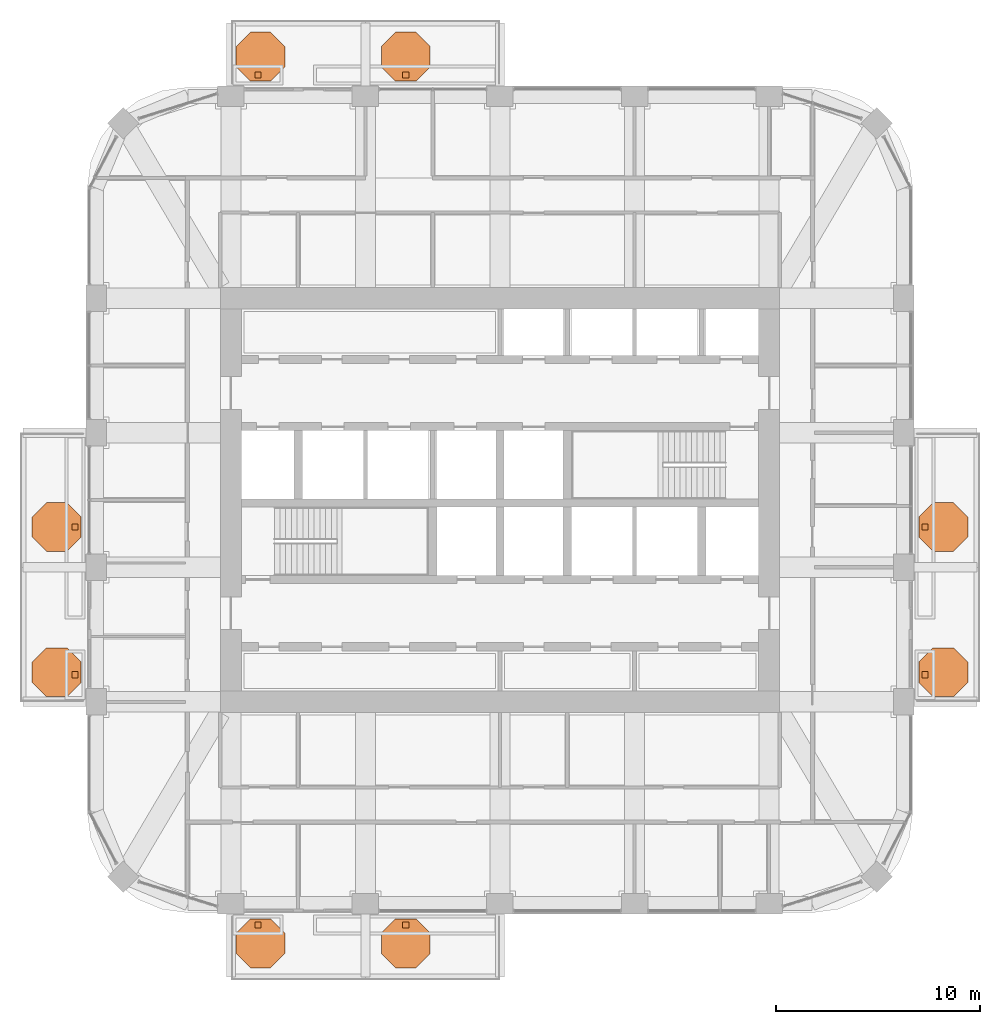
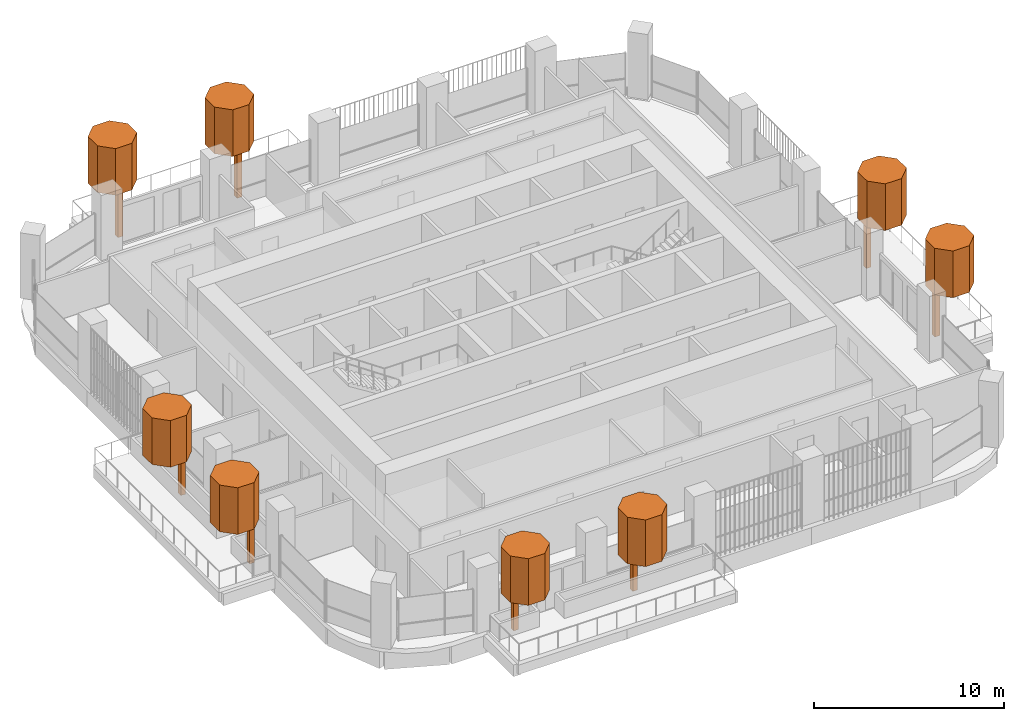
# One storey, part 19 of 19: 16 geographic elements.
"""IFC4 building model written with IfcOpenShell, lengths in metres."""

import ifcopenshell
import ifcopenshell.guid

model = None  # the IFC model being written
_history = None  # IfcOwnerHistory: only IFC2X3 demands one
_inside = {}  # id of a spatial element -> (the spatial element, [elements in it])
_under = {}  # id of a project, library or spatial element -> (it, [spatial elements below it])
_declared = {}  # id of a project -> (the project, [libraries it declares])
_typed = {}  # id of a type object -> (the type object, [elements of that type])
_made_of = {}  # id of a material, layer set ... -> (it, [elements and type objects made of it])


def new_model(schema):
    """Start an empty IFC model of exactly this schema.

    Asked for "IFC4X3", IfcOpenShell would pick the latest addendum, in which some entities
    have other attributes; the version numbers below select the first issue.
    IFC2X3 requires an IfcOwnerHistory on every rooted entity: one is made here for all.
    """
    global model, _history
    if schema == "IFC4X3":
        model = ifcopenshell.file(schema_version=(4, 3, 0, 0))
    else:
        model = ifcopenshell.file(schema=schema)
    _inside.clear()
    _under.clear()
    _declared.clear()
    _typed.clear()
    _made_of.clear()
    _history = None
    if model.schema == "IFC2X3":
        org = make("IfcOrganization", Name="unknown")
        user = make(
            "IfcPersonAndOrganization",
            ThePerson=make("IfcPerson", FamilyName="unknown"),
            TheOrganization=org,
        )
        app = make(
            "IfcApplication",
            ApplicationDeveloper=org,
            Version="unknown",
            ApplicationFullName="unknown",
            ApplicationIdentifier="unknown",
        )
        _history = make(
            "IfcOwnerHistory",
            OwningUser=user,
            OwningApplication=app,
            ChangeAction="ADDED",
            CreationDate=0,
        )
    return model


def make(cls, **values):
    """One entity of the class cls with the attributes given. An attribute that is None is left unset."""
    return model.create_entity(
        cls, **{name: value for name, value in values.items() if value is not None}
    )


def rooted(cls, **values):
    """An entity with a GlobalId (a new one), such as an element, a storey or a relation."""
    return make(cls, GlobalId=ifcopenshell.guid.new(), OwnerHistory=_history, **values)


def si_unit(unit_type, name, prefix=None):
    """IfcSIUnit, for example si_unit("LENGTHUNIT", "METRE", prefix="MILLI")."""
    return make("IfcSIUnit", UnitType=unit_type, Prefix=prefix, Name=name)


def assignment(units):
    """IfcUnitAssignment: the units of a project."""
    return None if units is None else make("IfcUnitAssignment", Units=units)


def point(xyz):
    """IfcCartesianPoint."""
    return None if xyz is None else make("IfcCartesianPoint", Coordinates=xyz)


def direction(xyz):
    """IfcDirection."""
    return None if xyz is None else make("IfcDirection", DirectionRatios=xyz)


def frame(location, z_axis=None, x_axis=None):
    """IfcAxis2Placement3D, a coordinate frame: its origin and axes. An axis left out is left unset."""
    return make(
        "IfcAxis2Placement3D",
        Location=point(location),
        Axis=direction(z_axis),
        RefDirection=direction(x_axis),
    )


def frame_2d(location, x_axis=None):
    """IfcAxis2Placement2D, a coordinate frame in the plane: its origin and x axis."""
    return make(
        "IfcAxis2Placement2D", Location=point(location), RefDirection=direction(x_axis)
    )


def origin():
    """The frame at (0, 0, 0) with its axes left unset."""
    return frame((0.0, 0.0, 0.0))


def origin_2d():
    """The frame at (0, 0) in the plane with its x axis left unset."""
    return frame_2d((0.0, 0.0))


def place(relative_to, where):
    """IfcLocalPlacement: puts the frame where relative to a parent placement (None: the world)."""
    return make(
        "IfcLocalPlacement", PlacementRelTo=relative_to, RelativePlacement=where
    )


def context(
    kind, dimensions, precision=None, world=None, true_north=None, identifier=None
):
    """IfcGeometricRepresentationContext, for example the 3D "Model" context."""
    return make(
        "IfcGeometricRepresentationContext",
        ContextIdentifier=identifier,
        ContextType=kind,
        CoordinateSpaceDimension=dimensions,
        Precision=precision,
        WorldCoordinateSystem=world,
        TrueNorth=true_north,
    )


def subcontext(parent, identifier, kind, view, scale=None):
    """IfcGeometricRepresentationSubContext, for example "Body" below "Model"."""
    return make(
        "IfcGeometricRepresentationSubContext",
        ContextIdentifier=identifier,
        ContextType=kind,
        ParentContext=parent,
        TargetScale=scale,
        TargetView=view,
    )


def project(units=None, contexts=None):
    """IfcProject with its units and contexts."""
    return rooted(
        "IfcProject",
        Name="project",
        RepresentationContexts=contexts,
        UnitsInContext=assignment(units),
    )


def spatial(cls, under=None, at=None, **own):
    """A site, building, storey or space (cls), placed at a placement, below another one or the project."""
    s = rooted(cls, ObjectPlacement=at, **own)
    if under is not None:
        _under.setdefault(under.id(), (under, []))[1].append(s)
    return s


def polyline(points):
    """IfcPolyline through the points."""
    return make("IfcPolyline", Points=[point(p) for p in points])


def profile(cls, at=None, kind="AREA", **sizes):
    """A parametric profile (cls). Its sizes go by their IFC names, for example OverallWidth=200.0."""
    return make(cls, ProfileType=kind, Position=at, **sizes)


def rectangle(**sizes):
    """IfcRectangleProfileDef."""
    return profile("IfcRectangleProfileDef", **sizes)


def outline(outer, holes=None, kind="AREA"):
    """IfcArbitraryClosedProfileDef: a profile drawn as a closed curve; with holes, ...WithVoids."""
    if holes is None:
        return make("IfcArbitraryClosedProfileDef", ProfileType=kind, OuterCurve=outer)
    return make(
        "IfcArbitraryProfileDefWithVoids",
        ProfileType=kind,
        OuterCurve=outer,
        InnerCurves=holes,
    )


def extrude(swept, where, along, depth):
    """IfcExtrudedAreaSolid: the profile swept, set in the frame where, extruded along a direction by depth."""
    return make(
        "IfcExtrudedAreaSolid",
        SweptArea=swept,
        Position=where,
        ExtrudedDirection=direction(along),
        Depth=depth,
    )


def shape(context_of_items, identifier, shape_type, items):
    """IfcShapeRepresentation: the items that make up one representation, for example the "Body"."""
    return make(
        "IfcShapeRepresentation",
        ContextOfItems=context_of_items,
        RepresentationIdentifier=identifier,
        RepresentationType=shape_type,
        Items=items,
    )


def material(Name=None, Category=None):
    """IfcMaterial."""
    return make("IfcMaterial", Name=Name, Category=Category)


def made_of(thing, what):
    """Note that an element or type object is made of a material, layer set ...; save() writes the relation."""
    if what is not None:
        _made_of.setdefault(what.id(), (what, []))[1].append(thing)
    return thing


def type_object(cls, material=None, **own):
    """A type object (cls), such as IfcWallType, which elements share."""
    return made_of(rooted(cls, **own), material)


def element(
    cls,
    number,
    at=None,
    inside=None,
    cuts=None,
    type_object=None,
    material=None,
    context=None,
    identifier="Body",
    shape_type=None,
    held_by="IfcProductDefinitionShape",
    body=None,
    shapes=None,
    **own,
):
    """One element of the class cls, such as IfcWall. Its Tag is "e" and its number.

    at: its placement. inside: the storey or other place that contains it. cuts: it is an
    opening in that element (IfcRelVoidsElement). A single representation is given by context,
    identifier, shape_type and body (its items); several are given by shapes. held_by: the class
    of the entity that holds the representations. save() writes the other relations.
    """
    e = rooted(cls, Tag="e%d" % number, ObjectPlacement=at, **own)
    if body is not None:
        shapes = [shape(context, identifier, shape_type, body)]
    if shapes is not None:
        e.Representation = make(held_by, Representations=shapes)
    if inside is not None:
        _inside.setdefault(inside.id(), (inside, []))[1].append(e)
    if cuts is not None:
        rooted(
            "IfcRelVoidsElement", RelatingBuildingElement=cuts, RelatedOpeningElement=e
        )
    if type_object is not None:
        _typed.setdefault(type_object.id(), (type_object, []))[1].append(e)
    return made_of(e, material)


def aggregate(whole, parts):
    """IfcRelAggregates: a whole, such as a stair, and the parts it consists of."""
    return rooted("IfcRelAggregates", RelatingObject=whole, RelatedObjects=parts)


def save(model, path):
    """Write the relations noted so far, then the file.

    IfcRelAggregates (storeys below a building ...), IfcRelContainedInSpatialStructure (elements
    in a storey), IfcRelDefinesByType, IfcRelAssociatesMaterial and IfcRelDeclares: one each for
    every whole, place, type object, material and project.
    """
    for whole, parts in _under.values():
        aggregate(whole, parts)
    for where, things in _inside.values():
        rooted(
            "IfcRelContainedInSpatialStructure",
            RelatedElements=things,
            RelatingStructure=where,
        )
    for kind, things in _typed.values():
        rooted("IfcRelDefinesByType", RelatedObjects=things, RelatingType=kind)
    for what, things in _made_of.values():
        rooted("IfcRelAssociatesMaterial", RelatedObjects=things, RelatingMaterial=what)
    for by, libraries in _declared.values():
        rooted("IfcRelDeclares", RelatingContext=by, RelatedDefinitions=libraries)
    model.write(path)


model = new_model("IFC4")

# Units and contexts
model_context = context("Model", 3, precision=1e-05, world=origin(), true_north=direction((0.0, 1.0)))
body_context = subcontext(model_context, "Body", "Model", "MODEL_VIEW")
ifc_project = project(units=[si_unit("LENGTHUNIT", "METRE"), si_unit("AREAUNIT", "SQUARE_METRE"), si_unit("VOLUMEUNIT", "CUBIC_METRE"), si_unit("PLANEANGLEUNIT", "RADIAN"), si_unit("MASSUNIT", "GRAM", prefix="KILO")], contexts=[model_context])

# Site, building, storey
site_placement = place(None, origin())
site = spatial("IfcSite", under=ifc_project, at=site_placement, CompositionType="ELEMENT")
building_placement = place(site_placement, origin())
building = spatial("IfcBuilding", under=site, at=building_placement, Name="Cobogo Forest Laboratory Tower", CompositionType="ELEMENT")
storey_placement = place(building_placement, frame((0.0, 0.0, 237.60009765625)))
storey = spatial("IfcBuildingStorey", under=building, at=storey_placement, Name="L54", CompositionType="ELEMENT", Elevation=237.60009765625)

# Geographic elements
ifc_material = material(Name="Planting", Category="plant")
geographic_element_type_1 = type_object("IfcGeographicElementType", Name="Tree trunk 300", PredefinedType="USERDEFINED", material=ifc_material)
for number, where, z_axis, x_axis, name in (
    (1, (14.52490234375, 2.25, 0.0), (0.0, 0.0, 1.0), (1.0, 0.0, 0.0), "Tree trunk BAL-S1-PL1 L54"),
    (2, (21.77490234375, 2.25, 0.0), (0.0, 0.0, 1.0), (1.0, 0.0, 0.0), "Tree trunk BAL-S1-PL2 L54"),
    (3, (47.25, 14.52490234375, 0.0), (0.0, 0.0, 1.0), (1.0, 0.0, 0.0), "Tree trunk BAL-E1-PL1 L54"),
    (4, (47.25, 21.77490234375, 0.0), (0.0, 0.0, 1.0), (1.0, 0.0, 0.0), "Tree trunk BAL-E1-PL2 L54"),
    (5, (14.52490234375, 43.949951171875, 0.0), (0.0, 0.0, 1.0), (1.0, 0.0, 0.0), "Tree trunk BAL-N1-PL1 L54"),
    (6, (21.77490234375, 43.949951171875, 0.0), (0.0, 0.0, 1.0), (1.0, 0.0, 0.0), "Tree trunk BAL-N1-PL2 L54"),
    (7, (5.550048828125, 14.52490234375, 0.0), (0.0, 0.0, 1.0), (1.0, 0.0, 0.0), "Tree trunk BAL-W1-PL1 L54"),
    (8, (5.550048828125, 21.77490234375, 0.0), (0.0, 0.0, 1.0), (1.0, 0.0, 0.0), "Tree trunk BAL-W1-PL2 L54"),
):
    element("IfcGeographicElement", number, at=place(storey_placement, frame(where, z_axis=z_axis, x_axis=x_axis)), inside=storey, type_object=geographic_element_type_1, Name=name, ObjectType="TREE TRUNK", PredefinedType="USERDEFINED", context=body_context, shape_type="SweptSolid", body=[
        extrude(rectangle(XDim=0.300048828125, YDim=0.300048828125, at=origin_2d()), origin(), (0.0, 0.0, 1.0), 2.89990234375),
    ])
geographic_element_type_2 = type_object("IfcGeographicElementType", Name="Tree, holm oak 5 m", PredefinedType="USERDEFINED", material=ifc_material)
geographic_element_1_placement = place(storey_placement, frame((0.0, 0.0, 2.89990234375)))
element("IfcGeographicElement", 9, at=geographic_element_1_placement, inside=storey, type_object=geographic_element_type_2, Name="Holm tree BAL-S1-PL1 L54", ObjectType="TREE", PredefinedType="USERDEFINED", context=body_context, shape_type="SweptSolid", body=[
    extrude(outline(polyline([(15.85009765625, 0.85302734375), (15.85009765625, 1.84716796875), (15.14697265625, 2.550048828125), (14.15283203125, 2.550048828125), (13.449951171875, 1.84716796875), (13.449951171875, 0.85302734375), (14.15283203125, 0.14990234375), (15.14697265625, 0.14990234375), (15.85009765625, 0.85302734375)])), origin(), (0.0, 0.0, 1.0), 3.0),
])
geographic_element_2_placement = place(storey_placement, frame((0.0, 0.0, 2.89990234375)))
element("IfcGeographicElement", 10, at=geographic_element_2_placement, inside=storey, type_object=geographic_element_type_2, Name="Holm tree BAL-S1-PL2 L54", ObjectType="TREE", PredefinedType="USERDEFINED", context=body_context, shape_type="SweptSolid", body=[
    extrude(outline(polyline([(22.97509765625, 0.85302734375), (22.97509765625, 1.84716796875), (22.27197265625, 2.550048828125), (21.27783203125, 2.550048828125), (20.574951171875, 1.84716796875), (20.574951171875, 0.85302734375), (21.27783203125, 0.14990234375), (22.27197265625, 0.14990234375), (22.97509765625, 0.85302734375)])), origin(), (0.0, 0.0, 1.0), 3.0),
])
geographic_element_3_placement = place(storey_placement, frame((0.0, 0.0, 2.89990234375)))
element("IfcGeographicElement", 11, at=geographic_element_3_placement, inside=storey, type_object=geographic_element_type_2, Name="Holm tree BAL-E1-PL1 L54", ObjectType="TREE", PredefinedType="USERDEFINED", context=body_context, shape_type="SweptSolid", body=[
    extrude(outline(polyline([(49.35009765625, 14.15283203125), (49.35009765625, 15.14697265625), (48.64697265625, 15.85009765625), (47.65283203125, 15.85009765625), (46.949951171875, 15.14697265625), (46.949951171875, 14.15283203125), (47.65283203125, 13.449951171875), (48.64697265625, 13.449951171875), (49.35009765625, 14.15283203125)])), origin(), (0.0, 0.0, 1.0), 3.0),
])
geographic_element_4_placement = place(storey_placement, frame((0.0, 0.0, 2.89990234375)))
element("IfcGeographicElement", 12, at=geographic_element_4_placement, inside=storey, type_object=geographic_element_type_2, Name="Holm tree BAL-E1-PL2 L54", ObjectType="TREE", PredefinedType="USERDEFINED", context=body_context, shape_type="SweptSolid", body=[
    extrude(outline(polyline([(49.35009765625, 21.27783203125), (49.35009765625, 22.27197265625), (48.64697265625, 22.97509765625), (47.65283203125, 22.97509765625), (46.949951171875, 22.27197265625), (46.949951171875, 21.27783203125), (47.65283203125, 20.574951171875), (48.64697265625, 20.574951171875), (49.35009765625, 21.27783203125)])), origin(), (0.0, 0.0, 1.0), 3.0),
])
geographic_element_5_placement = place(storey_placement, frame((0.0, 0.0, 2.89990234375)))
element("IfcGeographicElement", 13, at=geographic_element_5_placement, inside=storey, type_object=geographic_element_type_2, Name="Holm tree BAL-N1-PL1 L54", ObjectType="TREE", PredefinedType="USERDEFINED", context=body_context, shape_type="SweptSolid", body=[
    extrude(outline(polyline([(15.85009765625, 44.35302734375), (15.85009765625, 45.34716796875), (15.14697265625, 46.050048828125), (14.15283203125, 46.050048828125), (13.449951171875, 45.34716796875), (13.449951171875, 44.35302734375), (14.15283203125, 43.64990234375), (15.14697265625, 43.64990234375), (15.85009765625, 44.35302734375)])), origin(), (0.0, 0.0, 1.0), 3.0),
])
geographic_element_6_placement = place(storey_placement, frame((0.0, 0.0, 2.89990234375)))
element("IfcGeographicElement", 14, at=geographic_element_6_placement, inside=storey, type_object=geographic_element_type_2, Name="Holm tree BAL-N1-PL2 L54", ObjectType="TREE", PredefinedType="USERDEFINED", context=body_context, shape_type="SweptSolid", body=[
    extrude(outline(polyline([(22.97509765625, 44.35302734375), (22.97509765625, 45.34716796875), (22.27197265625, 46.050048828125), (21.27783203125, 46.050048828125), (20.574951171875, 45.34716796875), (20.574951171875, 44.35302734375), (21.27783203125, 43.64990234375), (22.27197265625, 43.64990234375), (22.97509765625, 44.35302734375)])), origin(), (0.0, 0.0, 1.0), 3.0),
])
geographic_element_7_placement = place(storey_placement, frame((0.0, 0.0, 2.89990234375)))
element("IfcGeographicElement", 15, at=geographic_element_7_placement, inside=storey, type_object=geographic_element_type_2, Name="Holm tree BAL-W1-PL1 L54", ObjectType="TREE", PredefinedType="USERDEFINED", context=body_context, shape_type="SweptSolid", body=[
    extrude(outline(polyline([(5.85009765625, 14.15283203125), (5.85009765625, 15.14697265625), (5.14697265625, 15.85009765625), (4.15283203125, 15.85009765625), (3.449951171875, 15.14697265625), (3.449951171875, 14.15283203125), (4.15283203125, 13.449951171875), (5.14697265625, 13.449951171875), (5.85009765625, 14.15283203125)])), origin(), (0.0, 0.0, 1.0), 3.0),
])
geographic_element_8_placement = place(storey_placement, frame((0.0, 0.0, 2.89990234375)))
element("IfcGeographicElement", 16, at=geographic_element_8_placement, inside=storey, type_object=geographic_element_type_2, Name="Holm tree BAL-W1-PL2 L54", ObjectType="TREE", PredefinedType="USERDEFINED", context=body_context, shape_type="SweptSolid", body=[
    extrude(outline(polyline([(5.85009765625, 21.27783203125), (5.85009765625, 22.27197265625), (5.14697265625, 22.97509765625), (4.15283203125, 22.97509765625), (3.449951171875, 22.27197265625), (3.449951171875, 21.27783203125), (4.15283203125, 20.574951171875), (5.14697265625, 20.574951171875), (5.85009765625, 21.27783203125)])), origin(), (0.0, 0.0, 1.0), 3.0),
])

save(model, "model.ifc")
